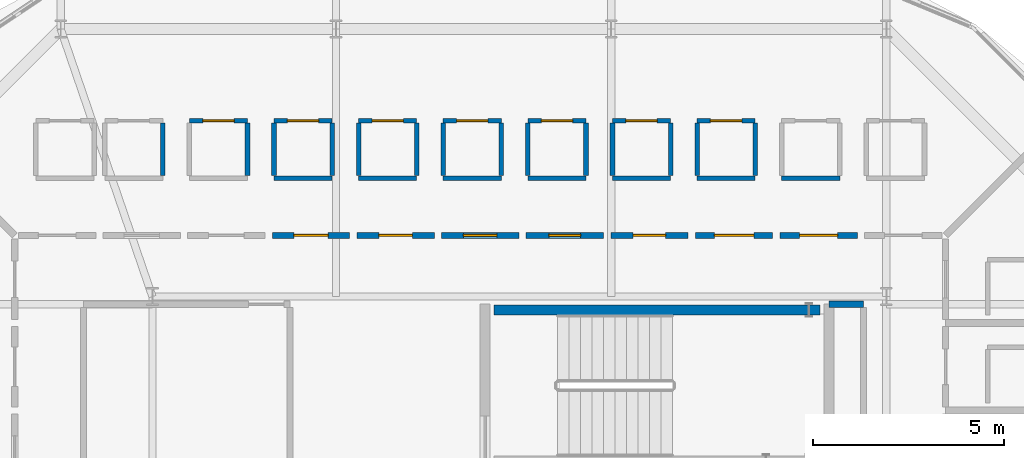
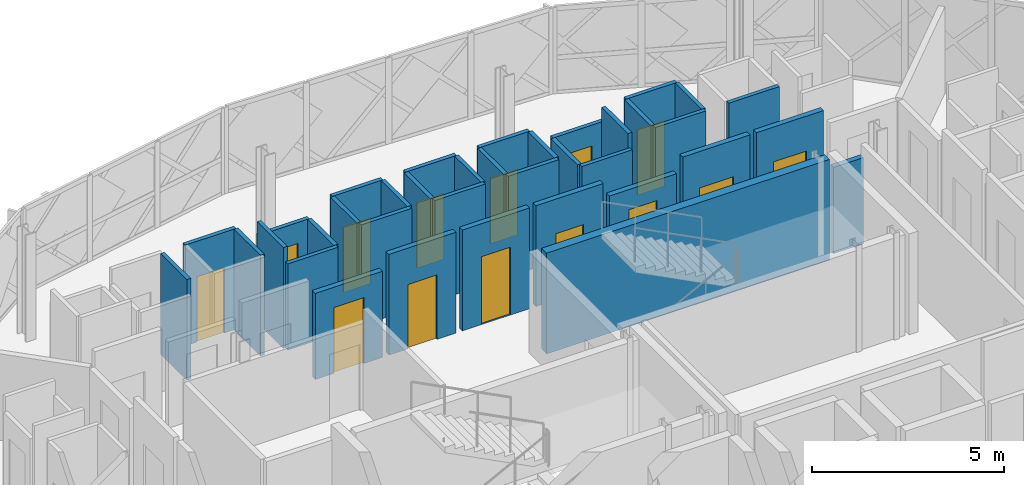
# One storey, part 34 of 40: 37 walls, 14 doors, 14 openings.
"""IFC4 building model written with IfcOpenShell, lengths in metres."""

from ifc_helpers import new_model, si_unit, direction, frame, frame_2d, origin, place, context, subcontext, project, spatial, rectangle, extrude, material, layer, layer_set, type_object, element, fill, save


model = new_model("IFC4")

# Units and contexts
model_context = context("Model", 3, precision=1e-05, world=origin(), true_north=direction((0.0, 1.0)))
body_context = subcontext(model_context, "Body", "Model", "MODEL_VIEW")
ifc_project = project(units=[si_unit("LENGTHUNIT", "METRE"), si_unit("AREAUNIT", "SQUARE_METRE"), si_unit("VOLUMEUNIT", "CUBIC_METRE"), si_unit("PLANEANGLEUNIT", "RADIAN"), si_unit("MASSUNIT", "GRAM", prefix="KILO")], contexts=[model_context])

# Site, building, storey
site_placement = place(None, origin())
site = spatial("IfcSite", under=ifc_project, at=site_placement, CompositionType="ELEMENT")
building_placement = place(site_placement, origin())
building = spatial("IfcBuilding", under=site, at=building_placement, Name="Zevrakil Square Congress Hotel", CompositionType="ELEMENT")
storey_placement = place(building_placement, frame((0.0, 0.0, 18.10009765625)))
storey = spatial("IfcBuildingStorey", under=building, at=storey_placement, Name="L05", CompositionType="ELEMENT", Elevation=18.10009765625)

# Wall
ifc_material_1 = material(Name="Gypsum Acoustic Stud Partition")
ifc_layer_1 = layer(ifc_material_1, 0.159912109375)
ifc_layer_set_1 = layer_set([ifc_layer_1], Name="Gypsum Acoustic Stud Partition")
wall_type_1 = type_object("IfcWallType", Name="WAL-CORR-160", PredefinedType="PARTITIONING", material=ifc_layer_set_1)
wall_1_placement = place(storey_placement, frame((154.5, 38.39990234375, 0.0), z_axis=(0.0, 0.0, 1.0), x_axis=(1.0, 0.0, 0.0)))
element("IfcWall", 1, at=wall_1_placement, inside=storey, type_object=wall_type_1, Name="L05 interior partition PW-L05-0469", PredefinedType="PARTITIONING", context=body_context, shape_type="SweptSolid", body=[
    extrude(rectangle(XDim=0.89990234375, YDim=0.159912109375, at=frame_2d((0.449951171875, 0.0))), origin(), (0.0, 0.0, 1.0), 2.744873046875),
])

# Wall, opening, door
wall_2_placement = place(storey_placement, frame((153.2177734375, 40.199951171875, 0.0), z_axis=(0.0, 0.0, 1.0), x_axis=(1.0, 0.0, 0.0)))
wall_2 = element("IfcWall", 2, at=wall_2_placement, inside=storey, type_object=wall_type_1, Name="L05 interior partition PW-L05-0581", PredefinedType="PARTITIONING", context=body_context, shape_type="SweptSolid", body=[
    extrude(rectangle(XDim=2.023681640625, YDim=0.159912109375, at=frame_2d((1.01171875, 0.0))), origin(), (0.0, 0.0, 1.0), 3.2099609375),
])
opening_1_placement = place(wall_2_placement, frame((0.513916015625, 0.0, 0.0)))
opening_1 = element("IfcOpeningElement", 3, at=opening_1_placement, cuts=wall_2, Name="Opening ID-H13", PredefinedType="OPENING", context=body_context, shape_type="SweptSolid", body=[
    extrude(rectangle(XDim=0.99609375, YDim=2.10009765625, at=frame_2d((0.498046875, 1.050048828125))), frame((0.0, 0.08984375, 0.0), z_axis=(0.0, -1.0, 0.0), x_axis=(1.0, 0.0, 0.0)), (0.0, 0.0, 1.0), 0.179931640625),
])
ifc_material_2 = material(Name="Acoustic Timber Fire Door", Category="wood")
door_type_1 = type_object("IfcDoorType", Name="DOR-INT-H13", OperationType="NOTDEFINED", PredefinedType="DOOR", material=ifc_material_2)
door_1_placement = place(opening_1_placement, origin())
door_1 = element("IfcDoor", 4, at=door_1_placement, inside=storey, type_object=door_type_1, Name="L05 interior door 232", OperationType="SINGLE_SWING_RIGHT", OverallHeight=2.10009765625, OverallWidth=0.99609375, PredefinedType="DOOR", context=body_context, shape_type="SweptSolid", body=[
    extrude(rectangle(XDim=0.99609375, YDim=2.10009765625, at=frame_2d((0.498046875, 1.050048828125))), frame((0.0, 0.02490234375, 0.0), z_axis=(0.0, -1.0, 0.0), x_axis=(1.0, 0.0, 0.0)), (0.0, 0.0, 1.0), 0.050048828125),
])
fill(opening_1, door_1)

wall_3_placement = place(storey_placement, frame((151.004150390625, 40.199951171875, 0.0), z_axis=(0.0, 0.0, 1.0), x_axis=(1.0, 0.0, 0.0)))
wall_3 = element("IfcWall", 5, at=wall_3_placement, inside=storey, type_object=wall_type_1, Name="L05 interior partition PW-L05-0586", PredefinedType="PARTITIONING", context=body_context, shape_type="SweptSolid", body=[
    extrude(rectangle(XDim=2.0234375, YDim=0.159912109375, at=frame_2d((1.01171875, 0.0))), origin(), (0.0, 0.0, 1.0), 3.2099609375),
])
opening_2_placement = place(wall_3_placement, frame((0.496826171875, 0.0, 0.0)))
opening_2 = element("IfcOpeningElement", 6, at=opening_2_placement, cuts=wall_3, Name="Opening ID-G08", PredefinedType="OPENING", context=body_context, shape_type="SweptSolid", body=[
    extrude(rectangle(XDim=1.030029296875, YDim=2.050048828125, at=frame_2d((0.51513671875, 1.02490234375))), frame((0.0, 0.08984375, 0.0), z_axis=(0.0, -1.0, 0.0), x_axis=(1.0, 0.0, 0.0)), (0.0, 0.0, 1.0), 0.179931640625),
])
ifc_material_3 = material(Name="Acoustic Timber Fire Door", Category="wood")
door_type_2 = type_object("IfcDoorType", Name="DOR-INT-G08", OperationType="NOTDEFINED", PredefinedType="DOOR", material=ifc_material_3)
door_2_placement = place(opening_2_placement, origin())
door_2 = element("IfcDoor", 7, at=door_2_placement, inside=storey, type_object=door_type_2, Name="L05 interior door 234", OperationType="SINGLE_SWING_RIGHT", OverallHeight=2.050048828125, OverallWidth=1.030029296875, PredefinedType="DOOR", context=body_context, shape_type="SweptSolid", body=[
    extrude(rectangle(XDim=1.030029296875, YDim=2.050048828125, at=frame_2d((0.51513671875, 1.02490234375))), frame((0.0, 0.02490234375, 0.0), z_axis=(0.0, -1.0, 0.0), x_axis=(1.0, 0.0, 0.0)), (0.0, 0.0, 1.0), 0.050048828125),
])
fill(opening_2, door_2)

wall_4_placement = place(storey_placement, frame((148.79052734375, 40.199951171875, 0.0), z_axis=(0.0, 0.0, 1.0), x_axis=(1.0, 0.0, 0.0)))
wall_4 = element("IfcWall", 8, at=wall_4_placement, inside=storey, type_object=wall_type_1, Name="L05 interior partition PW-L05-0591", PredefinedType="PARTITIONING", context=body_context, shape_type="SweptSolid", body=[
    extrude(rectangle(XDim=2.023681640625, YDim=0.159912109375, at=frame_2d((1.01171875, 0.0))), origin(), (0.0, 0.0, 1.0), 2.744873046875),
])
opening_3_placement = place(wall_4_placement, frame((0.585693359375, 0.0, 0.0)))
opening_3 = element("IfcOpeningElement", 9, at=opening_3_placement, cuts=wall_4, Name="Opening ID-H01", PredefinedType="OPENING", context=body_context, shape_type="SweptSolid", body=[
    extrude(rectangle(XDim=0.85205078125, YDim=2.10009765625, at=frame_2d((0.426025390625, 1.050048828125))), frame((0.0, 0.08984375, 0.0), z_axis=(0.0, -1.0, 0.0), x_axis=(1.0, 0.0, 0.0)), (0.0, 0.0, 1.0), 0.179931640625),
])
ifc_material_4 = material(Name="Acoustic Timber Fire Door", Category="wood")
door_type_3 = type_object("IfcDoorType", Name="DOR-INT-H01", OperationType="NOTDEFINED", PredefinedType="DOOR", material=ifc_material_4)
door_3_placement = place(opening_3_placement, origin())
door_3 = element("IfcDoor", 10, at=door_3_placement, inside=storey, type_object=door_type_3, Name="L05 interior door 236", OperationType="SINGLE_SWING_RIGHT", OverallHeight=2.10009765625, OverallWidth=0.85205078125, PredefinedType="DOOR", context=body_context, shape_type="SweptSolid", body=[
    extrude(rectangle(XDim=0.85205078125, YDim=2.10009765625, at=frame_2d((0.426025390625, 1.050048828125))), frame((0.0, 0.02490234375, 0.0), z_axis=(0.0, -1.0, 0.0), x_axis=(1.0, 0.0, 0.0)), (0.0, 0.0, 1.0), 0.050048828125),
])
fill(opening_3, door_3)

wall_5_placement = place(storey_placement, frame((146.576904296875, 40.199951171875, 0.0), z_axis=(0.0, 0.0, 1.0), x_axis=(1.0, 0.0, 0.0)))
wall_5 = element("IfcWall", 11, at=wall_5_placement, inside=storey, type_object=wall_type_1, Name="L05 interior partition PW-L05-0596", PredefinedType="PARTITIONING", context=body_context, shape_type="SweptSolid", body=[
    extrude(rectangle(XDim=2.023681640625, YDim=0.159912109375, at=frame_2d((1.01171875, 0.0))), origin(), (0.0, 0.0, 1.0), 3.2099609375),
])
opening_4_placement = place(wall_5_placement, frame((0.5966796875, 0.0, 0.0)))
opening_4 = element("IfcOpeningElement", 12, at=opening_4_placement, cuts=wall_5, Name="Opening ID-G10", PredefinedType="OPENING", context=body_context, shape_type="SweptSolid", body=[
    extrude(rectangle(XDim=0.830078125, YDim=2.110107421875, at=frame_2d((0.4150390625, 1.05517578125))), frame((0.0, 0.08984375, 0.0), z_axis=(0.0, -1.0, 0.0), x_axis=(1.0, 0.0, 0.0)), (0.0, 0.0, 1.0), 0.179931640625),
])
ifc_material_5 = material(Name="Acoustic Timber Fire Door", Category="wood")
door_type_4 = type_object("IfcDoorType", Name="DOR-INT-G10", OperationType="NOTDEFINED", PredefinedType="DOOR", material=ifc_material_5)
door_4_placement = place(opening_4_placement, origin())
door_4 = element("IfcDoor", 13, at=door_4_placement, inside=storey, type_object=door_type_4, Name="L05 interior door 238", OperationType="SINGLE_SWING_RIGHT", OverallHeight=2.110107421875, OverallWidth=0.830078125, PredefinedType="DOOR", context=body_context, shape_type="SweptSolid", body=[
    extrude(rectangle(XDim=0.830078125, YDim=2.110107421875, at=frame_2d((0.4150390625, 1.05517578125))), frame((0.0, 0.02490234375, 0.0), z_axis=(0.0, -1.0, 0.0), x_axis=(1.0, 0.0, 0.0)), (0.0, 0.0, 1.0), 0.050048828125),
])
fill(opening_4, door_4)

wall_6_placement = place(storey_placement, frame((144.36328125, 40.199951171875, 0.0), z_axis=(0.0, 0.0, 1.0), x_axis=(1.0, 0.0, 0.0)))
wall_6 = element("IfcWall", 14, at=wall_6_placement, inside=storey, type_object=wall_type_1, Name="L05 interior partition PW-L05-0601", PredefinedType="PARTITIONING", context=body_context, shape_type="SweptSolid", body=[
    extrude(rectangle(XDim=2.0234375, YDim=0.159912109375, at=frame_2d((1.01171875, 0.0))), origin(), (0.0, 0.0, 1.0), 3.2099609375),
])
opening_5_placement = place(wall_6_placement, frame((0.57373046875, 0.0, 0.0)))
opening_5 = element("IfcOpeningElement", 15, at=opening_5_placement, cuts=wall_6, Name="Opening ID-H03", PredefinedType="OPENING", context=body_context, shape_type="SweptSolid", body=[
    extrude(rectangle(XDim=0.8759765625, YDim=2.159912109375, at=frame_2d((0.43798828125, 1.080078125))), frame((0.0, 0.08984375, 0.0), z_axis=(0.0, -1.0, 0.0), x_axis=(1.0, 0.0, 0.0)), (0.0, 0.0, 1.0), 0.179931640625),
])
ifc_material_6 = material(Name="Acoustic Timber Fire Door", Category="wood")
door_type_5 = type_object("IfcDoorType", Name="DOR-INT-H03", OperationType="NOTDEFINED", PredefinedType="DOOR", material=ifc_material_6)
door_5_placement = place(opening_5_placement, origin())
door_5 = element("IfcDoor", 16, at=door_5_placement, inside=storey, type_object=door_type_5, Name="L05 interior door 240", OperationType="SINGLE_SWING_RIGHT", OverallHeight=2.159912109375, OverallWidth=0.8759765625, PredefinedType="DOOR", context=body_context, shape_type="SweptSolid", body=[
    extrude(rectangle(XDim=0.8759765625, YDim=2.159912109375, at=frame_2d((0.43798828125, 1.080078125))), frame((0.0, 0.02490234375, 0.0), z_axis=(0.0, -1.0, 0.0), x_axis=(1.0, 0.0, 0.0)), (0.0, 0.0, 1.0), 0.050048828125),
])
fill(opening_5, door_5)

wall_7_placement = place(storey_placement, frame((142.149658203125, 40.199951171875, 0.0), z_axis=(0.0, 0.0, 1.0), x_axis=(1.0, 0.0, 0.0)))
wall_7 = element("IfcWall", 17, at=wall_7_placement, inside=storey, type_object=wall_type_1, Name="L05 interior partition PW-L05-0606", PredefinedType="PARTITIONING", context=body_context, shape_type="SweptSolid", body=[
    extrude(rectangle(XDim=2.0234375, YDim=0.159912109375, at=frame_2d((1.01171875, 0.0))), origin(), (0.0, 0.0, 1.0), 3.2099609375),
])
opening_6_placement = place(wall_7_placement, frame((0.57177734375, 0.0, 0.0)))
opening_6 = element("IfcOpeningElement", 18, at=opening_6_placement, cuts=wall_7, Name="Opening ID-G02", PredefinedType="OPENING", context=body_context, shape_type="SweptSolid", body=[
    extrude(rectangle(XDim=0.8798828125, YDim=2.050048828125, at=frame_2d((0.43994140625, 1.02490234375))), frame((0.0, 0.08984375, 0.0), z_axis=(0.0, -1.0, 0.0), x_axis=(1.0, 0.0, 0.0)), (0.0, 0.0, 1.0), 0.179931640625),
])
ifc_material_7 = material(Name="Acoustic Timber Fire Door", Category="wood")
door_type_6 = type_object("IfcDoorType", Name="DOR-INT-G02", OperationType="NOTDEFINED", PredefinedType="DOOR", material=ifc_material_7)
door_6_placement = place(opening_6_placement, origin())
door_6 = element("IfcDoor", 19, at=door_6_placement, inside=storey, type_object=door_type_6, Name="L05 interior door 242", OperationType="SINGLE_SWING_RIGHT", OverallHeight=2.050048828125, OverallWidth=0.8798828125, PredefinedType="DOOR", context=body_context, shape_type="SweptSolid", body=[
    extrude(rectangle(XDim=0.8798828125, YDim=2.050048828125, at=frame_2d((0.43994140625, 1.02490234375))), frame((0.0, 0.02490234375, 0.0), z_axis=(0.0, -1.0, 0.0), x_axis=(1.0, 0.0, 0.0)), (0.0, 0.0, 1.0), 0.050048828125),
])
fill(opening_6, door_6)

wall_8_placement = place(storey_placement, frame((139.935791015625, 40.199951171875, 0.0), z_axis=(0.0, 0.0, 1.0), x_axis=(1.0, 0.0, 0.0)))
wall_8 = element("IfcWall", 20, at=wall_8_placement, inside=storey, type_object=wall_type_1, Name="L05 interior partition PW-L05-0611", PredefinedType="PARTITIONING", context=body_context, shape_type="SweptSolid", body=[
    extrude(rectangle(XDim=2.023681640625, YDim=0.159912109375, at=frame_2d((1.01171875, 0.0))), origin(), (0.0, 0.0, 1.0), 2.744873046875),
])
opening_7_placement = place(wall_8_placement, frame((0.561767578125, 0.0, 0.0)))
opening_7 = element("IfcOpeningElement", 21, at=opening_7_placement, cuts=wall_8, Name="Opening ID-H05", PredefinedType="OPENING", context=body_context, shape_type="SweptSolid", body=[
    extrude(rectangle(XDim=0.89990234375, YDim=2.10009765625, at=frame_2d((0.449951171875, 1.050048828125))), frame((0.0, 0.08984375, 0.0), z_axis=(0.0, -1.0, 0.0), x_axis=(1.0, 0.0, 0.0)), (0.0, 0.0, 1.0), 0.179931640625),
])
ifc_material_8 = material(Name="Acoustic Timber Fire Door", Category="wood")
door_type_7 = type_object("IfcDoorType", Name="DOR-INT-H05", OperationType="NOTDEFINED", PredefinedType="DOOR", material=ifc_material_8)
door_7_placement = place(opening_7_placement, origin())
door_7 = element("IfcDoor", 22, at=door_7_placement, inside=storey, type_object=door_type_7, Name="L05 interior door 244", OperationType="SINGLE_SWING_RIGHT", OverallHeight=2.10009765625, OverallWidth=0.89990234375, PredefinedType="DOOR", context=body_context, shape_type="SweptSolid", body=[
    extrude(rectangle(XDim=0.89990234375, YDim=2.10009765625, at=frame_2d((0.449951171875, 1.050048828125))), frame((0.0, 0.02490234375, 0.0), z_axis=(0.0, -1.0, 0.0), x_axis=(1.0, 0.0, 0.0)), (0.0, 0.0, 1.0), 0.050048828125),
])
fill(opening_7, door_7)

# Walls
ifc_material_9 = material(Name="Moisture-Resistant Gypsum Partition")
ifc_layer_2 = layer(ifc_material_9, 0.1201171875)
ifc_layer_set_2 = layer_set([ifc_layer_2], Name="Moisture-Resistant Gypsum Partition")
wall_type_2 = type_object("IfcWallType", Name="WAL-ENS-120", PredefinedType="PARTITIONING", material=ifc_layer_set_2)
for number, where, z_axis, x_axis, name in (
    (23, (153.2626953125, 41.699951171875, 0.0), (0.0, 0.0, 1.0), (1.0, 0.0, 0.0), "L05 interior partition PW-L05-0582"),
    (24, (151.049072265625, 41.699951171875, 0.0), (0.0, 0.0, 1.0), (1.0, 0.0, 0.0), "L05 interior partition PW-L05-0587"),
):
    element("IfcWall", number, at=place(storey_placement, frame(where, z_axis=z_axis, x_axis=x_axis)), inside=storey, type_object=wall_type_2, Name=name, PredefinedType="PARTITIONING", context=body_context, shape_type="SweptSolid", body=[
        extrude(rectangle(XDim=1.52001953125, YDim=0.1201171875, at=frame_2d((0.760009765625, 0.0))), origin(), (0.0, 0.0, 1.0), 3.2099609375),
    ])

# Wall, opening, door
wall_9_placement = place(storey_placement, frame((151.049072265625, 43.199951171875, 0.0), z_axis=(0.0, 0.0, 1.0), x_axis=(1.0, 0.0, 0.0)))
wall_9 = element("IfcWall", 25, at=wall_9_placement, inside=storey, type_object=wall_type_2, Name="L05 interior partition PW-L05-0588", PredefinedType="PARTITIONING", context=body_context, shape_type="SweptSolid", body=[
    extrude(rectangle(XDim=1.52001953125, YDim=0.1201171875, at=frame_2d((0.760009765625, 0.0))), origin(), (0.0, 0.0, 1.0), 3.2099609375),
])
opening_8_placement = place(wall_9_placement, frame((0.35009765625, 0.0, 0.0)))
opening_8 = element("IfcOpeningElement", 26, at=opening_8_placement, cuts=wall_9, Name="Opening ID-11", PredefinedType="OPENING", context=body_context, shape_type="SweptSolid", body=[
    extrude(rectangle(XDim=0.820068359375, YDim=2.080078125, at=frame_2d((0.41015625, 1.0400390625))), frame((0.0, 0.070068359375, 0.0), z_axis=(0.0, -1.0, 0.0), x_axis=(1.0, 0.0, 0.0)), (0.0, 0.0, 1.0), 0.14013671875),
])
ifc_material_10 = material(Name="Acoustic Timber Door", Category="wood")
door_type_8 = type_object("IfcDoorType", Name="DOR-INT-V01", OperationType="NOTDEFINED", PredefinedType="DOOR", material=ifc_material_10)
door_8_placement = place(opening_8_placement, origin())
door_8 = element("IfcDoor", 27, at=door_8_placement, inside=storey, type_object=door_type_8, Name="L05 interior door 235", OperationType="SINGLE_SWING_LEFT", OverallHeight=2.080078125, OverallWidth=0.820068359375, PredefinedType="DOOR", context=body_context, shape_type="SweptSolid", body=[
    extrude(rectangle(XDim=0.820068359375, YDim=2.080078125, at=frame_2d((0.41015625, 1.0400390625))), frame((0.0, 0.02490234375, 0.0), z_axis=(0.0, -1.0, 0.0), x_axis=(1.0, 0.0, 0.0)), (0.0, 0.0, 1.0), 0.050048828125),
])
fill(opening_8, door_8)

# Walls
for number, where, z_axis, x_axis, name in (
    (28, (151.049072265625, 41.764892578125, 0.0), (0.0, 0.0, 1.0), (0.0, 1.0, 0.0), "L05 interior partition PW-L05-0589"),
    (29, (152.569091796875, 41.764892578125, 0.0), (0.0, 0.0, 1.0), (0.0, 1.0, 0.0), "L05 interior partition PW-L05-0590"),
):
    element("IfcWall", number, at=place(storey_placement, frame(where, z_axis=z_axis, x_axis=x_axis)), inside=storey, type_object=wall_type_2, Name=name, PredefinedType="PARTITIONING", context=body_context, shape_type="SweptSolid", body=[
        extrude(rectangle(XDim=1.3701171875, YDim=0.1201171875, at=frame_2d((0.68505859375, 0.0))), origin(), (0.0, 0.0, 1.0), 3.2099609375),
    ])
wall_10_placement = place(storey_placement, frame((148.83544921875, 41.699951171875, 0.0), z_axis=(0.0, 0.0, 1.0), x_axis=(1.0, 0.0, 0.0)))
element("IfcWall", 30, at=wall_10_placement, inside=storey, type_object=wall_type_2, Name="L05 interior partition PW-L05-0592", PredefinedType="PARTITIONING", context=body_context, shape_type="SweptSolid", body=[
    extrude(rectangle(XDim=1.52001953125, YDim=0.1201171875, at=frame_2d((0.760009765625, 0.0))), origin(), (0.0, 0.0, 1.0), 2.744873046875),
])

# Wall, opening, door
wall_11_placement = place(storey_placement, frame((148.83544921875, 43.199951171875, 0.0), z_axis=(0.0, 0.0, 1.0), x_axis=(1.0, 0.0, 0.0)))
wall_11 = element("IfcWall", 31, at=wall_11_placement, inside=storey, type_object=wall_type_2, Name="L05 interior partition PW-L05-0593", PredefinedType="PARTITIONING", context=body_context, shape_type="SweptSolid", body=[
    extrude(rectangle(XDim=1.52001953125, YDim=0.1201171875, at=frame_2d((0.760009765625, 0.0))), origin(), (0.0, 0.0, 1.0), 2.744873046875),
])
opening_9_placement = place(wall_11_placement, frame((0.35009765625, 0.0, 0.0)))
opening_9 = element("IfcOpeningElement", 32, at=opening_9_placement, cuts=wall_11, Name="Opening ID-11", PredefinedType="OPENING", context=body_context, shape_type="SweptSolid", body=[
    extrude(rectangle(XDim=0.820068359375, YDim=2.080078125, at=frame_2d((0.41015625, 1.0400390625))), frame((0.0, 0.070068359375, 0.0), z_axis=(0.0, -1.0, 0.0), x_axis=(1.0, 0.0, 0.0)), (0.0, 0.0, 1.0), 0.14013671875),
])
door_9_placement = place(opening_9_placement, origin())
door_9 = element("IfcDoor", 33, at=door_9_placement, inside=storey, type_object=door_type_8, Name="L05 interior door 237", OperationType="SINGLE_SWING_LEFT", OverallHeight=2.080078125, OverallWidth=0.820068359375, PredefinedType="DOOR", context=body_context, shape_type="SweptSolid", body=[
    extrude(rectangle(XDim=0.820068359375, YDim=2.080078125, at=frame_2d((0.41015625, 1.0400390625))), frame((0.0, 0.02490234375, 0.0), z_axis=(0.0, -1.0, 0.0), x_axis=(1.0, 0.0, 0.0)), (0.0, 0.0, 1.0), 0.050048828125),
])
fill(opening_9, door_9)

# Walls
wall_12_placement = place(storey_placement, frame((148.83544921875, 41.764892578125, 0.0), z_axis=(0.0, 0.0, 1.0), x_axis=(0.0, 1.0, 0.0)))
element("IfcWall", 34, at=wall_12_placement, inside=storey, type_object=wall_type_2, Name="L05 interior partition PW-L05-0594", PredefinedType="PARTITIONING", context=body_context, shape_type="SweptSolid", body=[
    extrude(rectangle(XDim=1.3701171875, YDim=0.1201171875, at=frame_2d((0.68505859375, 0.0))), origin(), (0.0, 0.0, 1.0), 2.744873046875),
])
wall_13_placement = place(storey_placement, frame((150.35546875, 41.764892578125, 0.0), z_axis=(0.0, 0.0, 1.0), x_axis=(0.0, 1.0, 0.0)))
element("IfcWall", 35, at=wall_13_placement, inside=storey, type_object=wall_type_2, Name="L05 interior partition PW-L05-0595", PredefinedType="PARTITIONING", context=body_context, shape_type="SweptSolid", body=[
    extrude(rectangle(XDim=1.3701171875, YDim=0.1201171875, at=frame_2d((0.68505859375, 0.0))), origin(), (0.0, 0.0, 1.0), 3.2099609375),
])
wall_14_placement = place(storey_placement, frame((146.621826171875, 41.699951171875, 0.0), z_axis=(0.0, 0.0, 1.0), x_axis=(1.0, 0.0, 0.0)))
element("IfcWall", 36, at=wall_14_placement, inside=storey, type_object=wall_type_2, Name="L05 interior partition PW-L05-0597", PredefinedType="PARTITIONING", context=body_context, shape_type="SweptSolid", body=[
    extrude(rectangle(XDim=1.52001953125, YDim=0.1201171875, at=frame_2d((0.760009765625, 0.0))), origin(), (0.0, 0.0, 1.0), 3.2099609375),
])

# Wall, opening, door
wall_15_placement = place(storey_placement, frame((146.621826171875, 43.199951171875, 0.0), z_axis=(0.0, 0.0, 1.0), x_axis=(1.0, 0.0, 0.0)))
wall_15 = element("IfcWall", 37, at=wall_15_placement, inside=storey, type_object=wall_type_2, Name="L05 interior partition PW-L05-0598", PredefinedType="PARTITIONING", context=body_context, shape_type="SweptSolid", body=[
    extrude(rectangle(XDim=1.52001953125, YDim=0.1201171875, at=frame_2d((0.760009765625, 0.0))), origin(), (0.0, 0.0, 1.0), 3.2099609375),
])
opening_10_placement = place(wall_15_placement, frame((0.35009765625, 0.0, 0.0)))
opening_10 = element("IfcOpeningElement", 38, at=opening_10_placement, cuts=wall_15, Name="Opening ID-11", PredefinedType="OPENING", context=body_context, shape_type="SweptSolid", body=[
    extrude(rectangle(XDim=0.820068359375, YDim=2.080078125, at=frame_2d((0.41015625, 1.0400390625))), frame((0.0, 0.070068359375, 0.0), z_axis=(0.0, -1.0, 0.0), x_axis=(1.0, 0.0, 0.0)), (0.0, 0.0, 1.0), 0.14013671875),
])
door_10_placement = place(opening_10_placement, origin())
door_10 = element("IfcDoor", 39, at=door_10_placement, inside=storey, type_object=door_type_8, Name="L05 interior door 239", OperationType="SINGLE_SWING_LEFT", OverallHeight=2.080078125, OverallWidth=0.820068359375, PredefinedType="DOOR", context=body_context, shape_type="SweptSolid", body=[
    extrude(rectangle(XDim=0.820068359375, YDim=2.080078125, at=frame_2d((0.41015625, 1.0400390625))), frame((0.0, 0.02490234375, 0.0), z_axis=(0.0, -1.0, 0.0), x_axis=(1.0, 0.0, 0.0)), (0.0, 0.0, 1.0), 0.050048828125),
])
fill(opening_10, door_10)

# Walls
for number, where, z_axis, x_axis, name in (
    (40, (146.621826171875, 41.764892578125, 0.0), (0.0, 0.0, 1.0), (0.0, 1.0, 0.0), "L05 interior partition PW-L05-0599"),
    (41, (148.141845703125, 41.764892578125, 0.0), (0.0, 0.0, 1.0), (0.0, 1.0, 0.0), "L05 interior partition PW-L05-0600"),
):
    element("IfcWall", number, at=place(storey_placement, frame(where, z_axis=z_axis, x_axis=x_axis)), inside=storey, type_object=wall_type_2, Name=name, PredefinedType="PARTITIONING", context=body_context, shape_type="SweptSolid", body=[
        extrude(rectangle(XDim=1.3701171875, YDim=0.1201171875, at=frame_2d((0.68505859375, 0.0))), origin(), (0.0, 0.0, 1.0), 3.2099609375),
    ])
wall_16_placement = place(storey_placement, frame((144.408203125, 41.699951171875, 0.0), z_axis=(0.0, 0.0, 1.0), x_axis=(1.0, 0.0, 0.0)))
element("IfcWall", 42, at=wall_16_placement, inside=storey, type_object=wall_type_2, Name="L05 interior partition PW-L05-0602", PredefinedType="PARTITIONING", context=body_context, shape_type="SweptSolid", body=[
    extrude(rectangle(XDim=1.52001953125, YDim=0.1201171875, at=frame_2d((0.760009765625, 0.0))), origin(), (0.0, 0.0, 1.0), 3.2099609375),
])

# Wall, opening, door
wall_17_placement = place(storey_placement, frame((144.408203125, 43.199951171875, 0.0), z_axis=(0.0, 0.0, 1.0), x_axis=(1.0, 0.0, 0.0)))
wall_17 = element("IfcWall", 43, at=wall_17_placement, inside=storey, type_object=wall_type_2, Name="L05 interior partition PW-L05-0603", PredefinedType="PARTITIONING", context=body_context, shape_type="SweptSolid", body=[
    extrude(rectangle(XDim=1.52001953125, YDim=0.1201171875, at=frame_2d((0.760009765625, 0.0))), origin(), (0.0, 0.0, 1.0), 3.2099609375),
])
opening_11_placement = place(wall_17_placement, frame((0.35009765625, 0.0, 0.0)))
opening_11 = element("IfcOpeningElement", 44, at=opening_11_placement, cuts=wall_17, Name="Opening ID-11", PredefinedType="OPENING", context=body_context, shape_type="SweptSolid", body=[
    extrude(rectangle(XDim=0.820068359375, YDim=2.080078125, at=frame_2d((0.41015625, 1.0400390625))), frame((0.0, 0.070068359375, 0.0), z_axis=(0.0, -1.0, 0.0), x_axis=(1.0, 0.0, 0.0)), (0.0, 0.0, 1.0), 0.14013671875),
])
door_11_placement = place(opening_11_placement, origin())
door_11 = element("IfcDoor", 45, at=door_11_placement, inside=storey, type_object=door_type_8, Name="L05 interior door 241", OperationType="SINGLE_SWING_LEFT", OverallHeight=2.080078125, OverallWidth=0.820068359375, PredefinedType="DOOR", context=body_context, shape_type="SweptSolid", body=[
    extrude(rectangle(XDim=0.820068359375, YDim=2.080078125, at=frame_2d((0.41015625, 1.0400390625))), frame((0.0, 0.02490234375, 0.0), z_axis=(0.0, -1.0, 0.0), x_axis=(1.0, 0.0, 0.0)), (0.0, 0.0, 1.0), 0.050048828125),
])
fill(opening_11, door_11)

# Walls
for number, where, z_axis, x_axis, name in (
    (46, (144.408203125, 41.764892578125, 0.0), (0.0, 0.0, 1.0), (0.0, 1.0, 0.0), "L05 interior partition PW-L05-0604"),
    (47, (145.92822265625, 41.764892578125, 0.0), (0.0, 0.0, 1.0), (0.0, 1.0, 0.0), "L05 interior partition PW-L05-0605"),
):
    element("IfcWall", number, at=place(storey_placement, frame(where, z_axis=z_axis, x_axis=x_axis)), inside=storey, type_object=wall_type_2, Name=name, PredefinedType="PARTITIONING", context=body_context, shape_type="SweptSolid", body=[
        extrude(rectangle(XDim=1.3701171875, YDim=0.1201171875, at=frame_2d((0.68505859375, 0.0))), origin(), (0.0, 0.0, 1.0), 3.2099609375),
    ])
wall_18_placement = place(storey_placement, frame((142.194580078125, 41.699951171875, 0.0), z_axis=(0.0, 0.0, 1.0), x_axis=(1.0, 0.0, 0.0)))
element("IfcWall", 48, at=wall_18_placement, inside=storey, type_object=wall_type_2, Name="L05 interior partition PW-L05-0607", PredefinedType="PARTITIONING", context=body_context, shape_type="SweptSolid", body=[
    extrude(rectangle(XDim=1.52001953125, YDim=0.1201171875, at=frame_2d((0.760009765625, 0.0))), origin(), (0.0, 0.0, 1.0), 3.2099609375),
])

# Wall, opening, door
wall_19_placement = place(storey_placement, frame((142.194580078125, 43.199951171875, 0.0), z_axis=(0.0, 0.0, 1.0), x_axis=(1.0, 0.0, 0.0)))
wall_19 = element("IfcWall", 49, at=wall_19_placement, inside=storey, type_object=wall_type_2, Name="L05 interior partition PW-L05-0608", PredefinedType="PARTITIONING", context=body_context, shape_type="SweptSolid", body=[
    extrude(rectangle(XDim=1.52001953125, YDim=0.1201171875, at=frame_2d((0.760009765625, 0.0))), origin(), (0.0, 0.0, 1.0), 3.2099609375),
])
opening_12_placement = place(wall_19_placement, frame((0.35009765625, 0.0, 0.0)))
opening_12 = element("IfcOpeningElement", 50, at=opening_12_placement, cuts=wall_19, Name="Opening ID-11", PredefinedType="OPENING", context=body_context, shape_type="SweptSolid", body=[
    extrude(rectangle(XDim=0.820068359375, YDim=2.080078125, at=frame_2d((0.41015625, 1.0400390625))), frame((0.0, 0.070068359375, 0.0), z_axis=(0.0, -1.0, 0.0), x_axis=(1.0, 0.0, 0.0)), (0.0, 0.0, 1.0), 0.14013671875),
])
door_12_placement = place(opening_12_placement, origin())
door_12 = element("IfcDoor", 51, at=door_12_placement, inside=storey, type_object=door_type_8, Name="L05 interior door 243", OperationType="SINGLE_SWING_LEFT", OverallHeight=2.080078125, OverallWidth=0.820068359375, PredefinedType="DOOR", context=body_context, shape_type="SweptSolid", body=[
    extrude(rectangle(XDim=0.820068359375, YDim=2.080078125, at=frame_2d((0.41015625, 1.0400390625))), frame((0.0, 0.02490234375, 0.0), z_axis=(0.0, -1.0, 0.0), x_axis=(1.0, 0.0, 0.0)), (0.0, 0.0, 1.0), 0.050048828125),
])
fill(opening_12, door_12)

# Walls
for number, where, z_axis, x_axis, name in (
    (52, (142.194580078125, 41.764892578125, 0.0), (0.0, 0.0, 1.0), (0.0, 1.0, 0.0), "L05 interior partition PW-L05-0609"),
    (53, (143.714599609375, 41.764892578125, 0.0), (0.0, 0.0, 1.0), (0.0, 1.0, 0.0), "L05 interior partition PW-L05-0610"),
):
    element("IfcWall", number, at=place(storey_placement, frame(where, z_axis=z_axis, x_axis=x_axis)), inside=storey, type_object=wall_type_2, Name=name, PredefinedType="PARTITIONING", context=body_context, shape_type="SweptSolid", body=[
        extrude(rectangle(XDim=1.3701171875, YDim=0.1201171875, at=frame_2d((0.68505859375, 0.0))), origin(), (0.0, 0.0, 1.0), 3.2099609375),
    ])
wall_20_placement = place(storey_placement, frame((139.98095703125, 41.699951171875, 0.0), z_axis=(0.0, 0.0, 1.0), x_axis=(1.0, 0.0, 0.0)))
element("IfcWall", 54, at=wall_20_placement, inside=storey, type_object=wall_type_2, Name="L05 interior partition PW-L05-0612", PredefinedType="PARTITIONING", context=body_context, shape_type="SweptSolid", body=[
    extrude(rectangle(XDim=1.52001953125, YDim=0.1201171875, at=frame_2d((0.760009765625, 0.0))), origin(), (0.0, 0.0, 1.0), 2.744873046875),
])

# Wall, opening, door
wall_21_placement = place(storey_placement, frame((139.98095703125, 43.199951171875, 0.0), z_axis=(0.0, 0.0, 1.0), x_axis=(1.0, 0.0, 0.0)))
wall_21 = element("IfcWall", 55, at=wall_21_placement, inside=storey, type_object=wall_type_2, Name="L05 interior partition PW-L05-0613", PredefinedType="PARTITIONING", context=body_context, shape_type="SweptSolid", body=[
    extrude(rectangle(XDim=1.52001953125, YDim=0.1201171875, at=frame_2d((0.760009765625, 0.0))), origin(), (0.0, 0.0, 1.0), 2.744873046875),
])
opening_13_placement = place(wall_21_placement, frame((0.35009765625, 0.0, 0.0)))
opening_13 = element("IfcOpeningElement", 56, at=opening_13_placement, cuts=wall_21, Name="Opening ID-11", PredefinedType="OPENING", context=body_context, shape_type="SweptSolid", body=[
    extrude(rectangle(XDim=0.820068359375, YDim=2.080078125, at=frame_2d((0.41015625, 1.0400390625))), frame((0.0, 0.070068359375, 0.0), z_axis=(0.0, -1.0, 0.0), x_axis=(1.0, 0.0, 0.0)), (0.0, 0.0, 1.0), 0.14013671875),
])
door_13_placement = place(opening_13_placement, origin())
door_13 = element("IfcDoor", 57, at=door_13_placement, inside=storey, type_object=door_type_8, Name="L05 interior door 245", OperationType="SINGLE_SWING_LEFT", OverallHeight=2.080078125, OverallWidth=0.820068359375, PredefinedType="DOOR", context=body_context, shape_type="SweptSolid", body=[
    extrude(rectangle(XDim=0.820068359375, YDim=2.080078125, at=frame_2d((0.41015625, 1.0400390625))), frame((0.0, 0.02490234375, 0.0), z_axis=(0.0, -1.0, 0.0), x_axis=(1.0, 0.0, 0.0)), (0.0, 0.0, 1.0), 0.050048828125),
])
fill(opening_13, door_13)

# Walls
wall_22_placement = place(storey_placement, frame((139.98095703125, 41.764892578125, 0.0), z_axis=(0.0, 0.0, 1.0), x_axis=(0.0, 1.0, 0.0)))
element("IfcWall", 58, at=wall_22_placement, inside=storey, type_object=wall_type_2, Name="L05 interior partition PW-L05-0614", PredefinedType="PARTITIONING", context=body_context, shape_type="SweptSolid", body=[
    extrude(rectangle(XDim=1.3701171875, YDim=0.1201171875, at=frame_2d((0.68505859375, 0.0))), origin(), (0.0, 0.0, 1.0), 3.2099609375),
])
wall_23_placement = place(storey_placement, frame((141.5009765625, 41.764892578125, 0.0), z_axis=(0.0, 0.0, 1.0), x_axis=(0.0, 1.0, 0.0)))
element("IfcWall", 59, at=wall_23_placement, inside=storey, type_object=wall_type_2, Name="L05 interior partition PW-L05-0615", PredefinedType="PARTITIONING", context=body_context, shape_type="SweptSolid", body=[
    extrude(rectangle(XDim=1.3701171875, YDim=0.1201171875, at=frame_2d((0.68505859375, 0.0))), origin(), (0.0, 0.0, 1.0), 2.744873046875),
])

# Wall, opening, door
wall_24_placement = place(storey_placement, frame((137.767333984375, 43.199951171875, 0.0), z_axis=(0.0, 0.0, 1.0), x_axis=(1.0, 0.0, 0.0)))
wall_24 = element("IfcWall", 60, at=wall_24_placement, inside=storey, type_object=wall_type_2, Name="L05 interior partition PW-L05-0618", PredefinedType="PARTITIONING", context=body_context, shape_type="SweptSolid", body=[
    extrude(rectangle(XDim=1.52001953125, YDim=0.1201171875, at=frame_2d((0.760009765625, 0.0))), origin(), (0.0, 0.0, 1.0), 3.2099609375),
])
opening_14_placement = place(wall_24_placement, frame((0.35009765625, 0.0, 0.0)))
opening_14 = element("IfcOpeningElement", 61, at=opening_14_placement, cuts=wall_24, Name="Opening ID-11", PredefinedType="OPENING", context=body_context, shape_type="SweptSolid", body=[
    extrude(rectangle(XDim=0.820068359375, YDim=2.080078125, at=frame_2d((0.41015625, 1.0400390625))), frame((0.0, 0.070068359375, 0.0), z_axis=(0.0, -1.0, 0.0), x_axis=(1.0, 0.0, 0.0)), (0.0, 0.0, 1.0), 0.14013671875),
])
door_14_placement = place(opening_14_placement, origin())
door_14 = element("IfcDoor", 62, at=door_14_placement, inside=storey, type_object=door_type_8, Name="L05 interior door 247", OperationType="SINGLE_SWING_LEFT", OverallHeight=2.080078125, OverallWidth=0.820068359375, PredefinedType="DOOR", context=body_context, shape_type="SweptSolid", body=[
    extrude(rectangle(XDim=0.820068359375, YDim=2.080078125, at=frame_2d((0.41015625, 1.0400390625))), frame((0.0, 0.02490234375, 0.0), z_axis=(0.0, -1.0, 0.0), x_axis=(1.0, 0.0, 0.0)), (0.0, 0.0, 1.0), 0.050048828125),
])
fill(opening_14, door_14)

# Walls
for number, where, z_axis, x_axis, name in (
    (63, (139.287353515625, 41.764892578125, 0.0), (0.0, 0.0, 1.0), (0.0, 1.0, 0.0), "L05 interior partition PW-L05-0620"),
    (64, (137.07373046875, 41.764892578125, 0.0), (0.0, 0.0, 1.0), (0.0, 1.0, 0.0), "L05 interior partition PW-L05-0625"),
):
    element("IfcWall", number, at=place(storey_placement, frame(where, z_axis=z_axis, x_axis=x_axis)), inside=storey, type_object=wall_type_2, Name=name, PredefinedType="PARTITIONING", context=body_context, shape_type="SweptSolid", body=[
        extrude(rectangle(XDim=1.3701171875, YDim=0.1201171875, at=frame_2d((0.68505859375, 0.0))), origin(), (0.0, 0.0, 1.0), 3.2099609375),
    ])
ifc_material_11 = material(Name="Concrete C40/50", Category="concrete")
ifc_layer_3 = layer(ifc_material_11, 0.260009765625)
ifc_layer_set_3 = layer_set([ifc_layer_3], Name="Concrete C40/50")
wall_type_3 = type_object("IfcWallType", Name="WAL-SHAFT-260", PredefinedType="SHEAR", material=ifc_layer_set_3)
wall_25_placement = place(storey_placement, frame((145.739990234375, 38.2451171875, 0.0), z_axis=(0.0, 0.0, 1.0), x_axis=(1.0, 0.0, 0.0)))
element("IfcWall", 65, at=wall_25_placement, inside=storey, type_object=wall_type_3, Name="L05 ST03 stair shaft N wall", PredefinedType="SHEAR", context=body_context, shape_type="SweptSolid", body=[
    extrude(rectangle(XDim=8.52001953125, YDim=0.260009765625, at=frame_2d((4.260009765625, 0.0))), origin(), (0.0, 0.0, 1.0), 3.2099609375),
])

save(model, "model.ifc")
